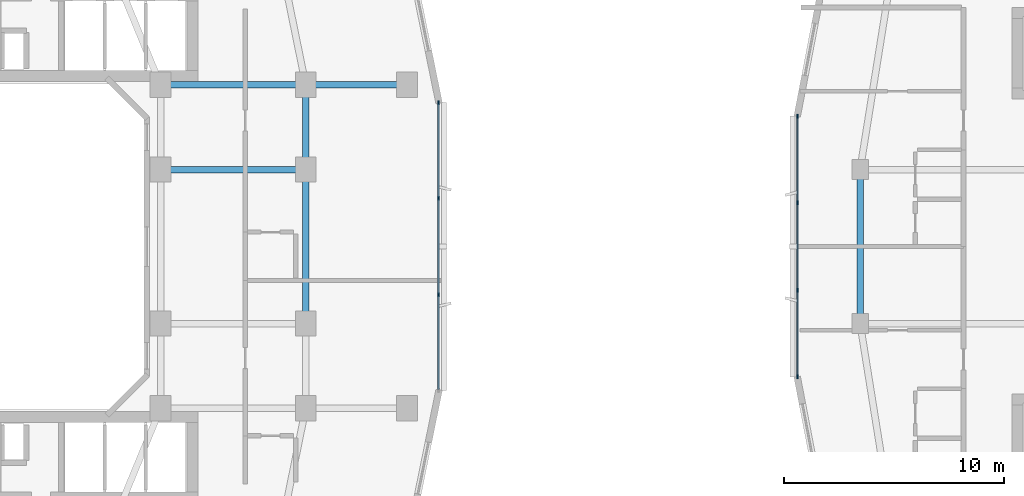
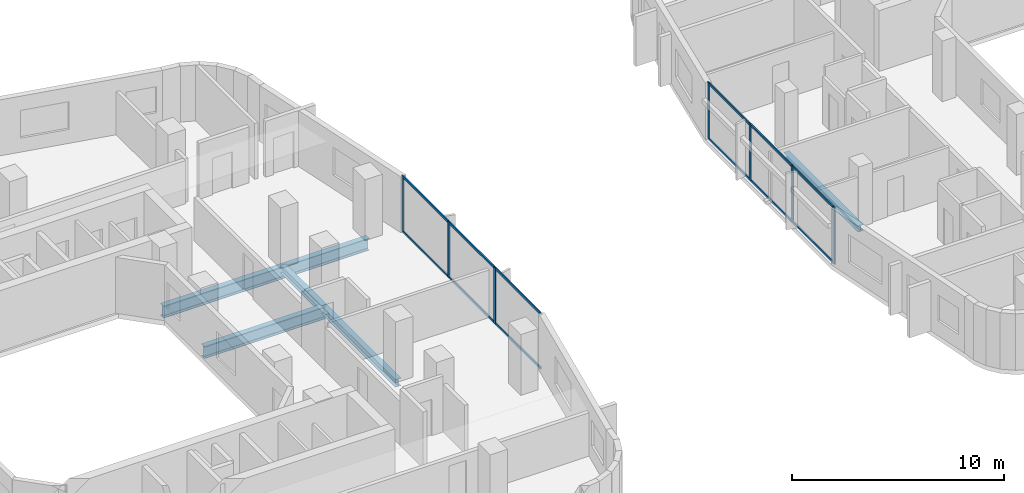
# One storey, part 5 of 26: 19 members, 6 beams, 2 elements without a shape of their own.
"""IFC4 building model written with IfcOpenShell, lengths in metres."""

from ifc_helpers import new_model, si_unit, derived_unit, direction, frame, origin, origin_2d, place, context, subcontext, project, spatial, rectangle, i_section, extrude, material, layer, layer_set, material_profile, profile_set, type_object, element, aggregate, save


model = new_model("IFC4")

# Units and contexts
model_context = context("Model", 3, precision=1e-05, world=origin(), true_north=direction((0.0, 1.0)))
body_context = subcontext(model_context, "Body", "Model", "MODEL_VIEW")
ifc_project = project(units=[si_unit("LENGTHUNIT", "METRE"), si_unit("AREAUNIT", "SQUARE_METRE"), si_unit("VOLUMEUNIT", "CUBIC_METRE"), si_unit("PLANEANGLEUNIT", "RADIAN"), si_unit("MASSUNIT", "GRAM", prefix="KILO"), derived_unit("THERMALTRANSMITTANCEUNIT", [(si_unit("POWERUNIT", "WATT"), 1), (si_unit("LENGTHUNIT", "METRE"), -2), (si_unit("THERMODYNAMICTEMPERATUREUNIT", "KELVIN"), -1)])], contexts=[model_context])

# Site, building, storey
site_placement = place(None, origin())
site = spatial("IfcSite", under=ifc_project, at=site_placement, CompositionType="ELEMENT")
building_placement = place(site_placement, origin())
building = spatial("IfcBuilding", under=site, at=building_placement, Name="Kivonza Crest Hotel", CompositionType="ELEMENT")
storey_placement = place(building_placement, frame((0.0, 0.0, 66.0)))
storey = spatial("IfcBuildingStorey", under=building, at=storey_placement, Name="L17", CompositionType="ELEMENT", Elevation=66.0)

# Beams
ifc_material_1 = material(Name="Steel S355", Category="steel")
ifc_material_profile_1 = material_profile(ifc_material_1, i_section(OverallWidth=0.300048828125, OverallDepth=0.360107421875, WebThickness=0.012451171875, FlangeThickness=0.0224609375, FilletRadius=0.027099609375, at=origin_2d()), Name="HEB 360")
ifc_profile_set_1 = profile_set([ifc_material_profile_1], Name="Steel S355")
beam_type_1 = type_object("IfcBeamType", Name="BM-HEB360", PredefinedType="SPANDREL", material=ifc_profile_set_1)
beam_1_placement = place(storey_placement, frame((61.0, 28.5, -0.429931640625), z_axis=(0.0, -1.0, 0.0), x_axis=(1.0, 0.0, 0.0)))
element("IfcBeam", 1, at=beam_1_placement, inside=storey, type_object=beam_type_1, Name="Companion Tower T2 L17 perimeter spandrel W2-W1", PredefinedType="SPANDREL", context=body_context, shape_type="SweptSolid", body=[
    extrude(i_section(OverallWidth=0.300048828125, OverallDepth=0.360107421875, WebThickness=0.012451171875, FlangeThickness=0.0224609375, FilletRadius=0.027099609375, at=origin_2d()), origin(), (0.0, 0.0, 1.0), 7.0),
])
ifc_material_profile_2 = material_profile(ifc_material_1, i_section(OverallWidth=0.300048828125, OverallDepth=0.449951171875, WebThickness=0.013916015625, FlangeThickness=0.02587890625, FilletRadius=0.027099609375, at=origin_2d()), Name="HEB 450")
ifc_profile_set_2 = profile_set([ifc_material_profile_2], Name="Steel S355")
beam_type_2 = type_object("IfcBeamType", Name="BM-HEB450", PredefinedType="SPANDREL", material=ifc_profile_set_2)
beam_2_placement = place(storey_placement, frame((35.800048828125, 21.5, -0.5048828125), z_axis=(0.0, 1.0, 0.0), x_axis=(-1.0, 0.0, 0.0)))
element("IfcBeam", 2, at=beam_2_placement, inside=storey, type_object=beam_type_2, Name="Tower T1 L17 perimeter spandrel E1-E2", PredefinedType="SPANDREL", context=body_context, shape_type="SweptSolid", body=[
    extrude(i_section(OverallWidth=0.300048828125, OverallDepth=0.449951171875, WebThickness=0.013916015625, FlangeThickness=0.02587890625, FilletRadius=0.027099609375, at=origin_2d()), origin(), (0.0, 0.0, 1.0), 7.0),
])
beam_3_placement = place(storey_placement, frame((35.800048828125, 28.5, -0.5048828125), z_axis=(0.0, 1.0, 0.0), x_axis=(-1.0, 0.0, 0.0)))
element("IfcBeam", 3, at=beam_3_placement, inside=storey, type_object=beam_type_2, Name="Tower T1 L17 perimeter spandrel E2-PNE", PredefinedType="SPANDREL", context=body_context, shape_type="SweptSolid", body=[
    extrude(i_section(OverallWidth=0.300048828125, OverallDepth=0.449951171875, WebThickness=0.013916015625, FlangeThickness=0.02587890625, FilletRadius=0.027099609375, at=origin_2d()), origin(), (0.0, 0.0, 1.0), 3.85009765625),
])
ifc_material_profile_3 = material_profile(ifc_material_1, i_section(OverallWidth=0.300048828125, OverallDepth=0.699951171875, WebThickness=0.01708984375, FlangeThickness=0.031982421875, FilletRadius=0.027099609375, at=origin_2d()), Name="HEB 700")
ifc_profile_set_3 = profile_set([ifc_material_profile_3], Name="Steel S355")
beam_type_3 = type_object("IfcBeamType", Name="BM-HEB700", PredefinedType="BEAM", material=ifc_profile_set_3)
for number, where, z_axis, x_axis, name in (
    (4, (29.199951171875, 32.35009765625, -0.6298828125), (1.0, 0.0, 0.0), (0.0, 1.0, 0.0), "Tower T1 L17 primary girder TNE-PNE"),
    (5, (29.199951171875, 28.5, -0.6298828125), (1.0, 0.0, 0.0), (0.0, 1.0, 0.0), "Tower T1 L17 primary girder WR2-E2"),
):
    element("IfcBeam", number, at=place(storey_placement, frame(where, z_axis=z_axis, x_axis=x_axis)), inside=storey, type_object=beam_type_3, Name=name, PredefinedType="BEAM", context=body_context, shape_type="SweptSolid", body=[
        extrude(i_section(OverallWidth=0.300048828125, OverallDepth=0.699951171875, WebThickness=0.01708984375, FlangeThickness=0.031982421875, FilletRadius=0.027099609375, at=origin_2d()), origin(), (0.0, 0.0, 1.0), 6.60009765625),
    ])
beam_4_placement = place(storey_placement, frame((40.39990234375, 32.35009765625, -0.6298828125), z_axis=(-1.0, 0.0, 0.0), x_axis=(0.0, -1.0, 0.0)))
element("IfcBeam", 6, at=beam_4_placement, inside=storey, type_object=beam_type_3, Name="Tower T1 L17 outer bay girder ZE2", PredefinedType="BEAM", context=body_context, shape_type="SweptSolid", body=[
    extrude(i_section(OverallWidth=0.300048828125, OverallDepth=0.699951171875, WebThickness=0.01708984375, FlangeThickness=0.031982421875, FilletRadius=0.027099609375, at=origin_2d()), origin(), (0.0, 0.0, 1.0), 4.599853515625),
])

# Curtain wall, members
ifc_material_2 = material(Name="Anodised bronze aluminium and low-E double glazing", Category="aluminium")
ifc_layer_1 = layer(ifc_material_2, 0.179931640625)
ifc_layer_set_1 = layer_set([ifc_layer_1], Name="Anodised bronze aluminium and low-E double glazing")
curtain_wall_type_1 = type_object("IfcCurtainWallType", Name="CW-SYS-2", PredefinedType="NOTDEFINED", material=ifc_layer_set_1)
curtain_wall_1_placement = place(storey_placement, origin())
curtain_wall_1 = element("IfcCurtainWall", 7, at=curtain_wall_1_placement, inside=storey, type_object=curtain_wall_type_1, Name="L17 unitised curtain wall CW-T1-L17-17", PredefinedType="NOTDEFINED")
ifc_material_3 = material(Name="Anodised bronze aluminium", Category="aluminium")
ifc_material_profile_4 = material_profile(ifc_material_3, rectangle(XDim=0.06494140625, YDim=0.179931640625, at=origin_2d()), Name="CW-M 65x180")
ifc_profile_set_4 = profile_set([ifc_material_profile_4], Name="Anodised bronze aluminium")
member_type_1 = type_object("IfcMemberType", Name="CW-MUL-65x180", PredefinedType="MULLION", material=ifc_profile_set_4)
member_1_placement = place(storey_placement, frame((41.840087890625, 22.813232421875, 0.0), z_axis=(0.0, 0.0, 1.0), x_axis=(-1.0, 0.0, 0.0)))
member_1 = element("IfcMember", 8, at=member_1_placement, type_object=member_type_1, Name="CW-2 mullion 2", PredefinedType="MULLION", context=body_context, shape_type="SweptSolid", body=[
    extrude(rectangle(XDim=0.06494140625, YDim=0.179931640625, at=origin_2d()), origin(), (0.0, 0.0, 1.0), 3.219970703125),
])
member_2_placement = place(storey_placement, frame((41.840087890625, 27.186767578125, 0.0), z_axis=(0.0, 0.0, 1.0), x_axis=(-1.0, 0.0, 0.0)))
member_2 = element("IfcMember", 9, at=member_2_placement, type_object=member_type_1, Name="CW-2 mullion 3", PredefinedType="MULLION", context=body_context, shape_type="SweptSolid", body=[
    extrude(rectangle(XDim=0.06494140625, YDim=0.179931640625, at=origin_2d()), origin(), (0.0, 0.0, 1.0), 3.219970703125),
])
member_3_placement = place(storey_placement, frame((41.840087890625, 31.527587890625, 0.0), z_axis=(0.0, 0.0, 1.0), x_axis=(-1.0, 0.0, 0.0)))
member_3 = element("IfcMember", 10, at=member_3_placement, type_object=member_type_1, Name="CW-2 mullion 4", PredefinedType="MULLION", context=body_context, shape_type="SweptSolid", body=[
    extrude(rectangle(XDim=0.06494140625, YDim=0.179931640625, at=origin_2d()), origin(), (0.0, 0.0, 1.0), 3.219970703125),
])

ifc_layer_2 = layer(ifc_material_2, 0.179931640625)
ifc_layer_set_2 = layer_set([ifc_layer_2], Name="Anodised bronze aluminium and low-E double glazing")
curtain_wall_type_2 = type_object("IfcCurtainWallType", Name="CW-SYS-4", PredefinedType="NOTDEFINED", material=ifc_layer_set_2)
curtain_wall_2_placement = place(storey_placement, origin())
curtain_wall_2 = element("IfcCurtainWall", 11, at=curtain_wall_2_placement, inside=storey, type_object=curtain_wall_type_2, Name="L17 unitised curtain wall CW-T2-L17-35", PredefinedType="NOTDEFINED")
member_4_placement = place(storey_placement, frame((58.159912109375, 30.927490234375, 0.0), z_axis=(0.0, 0.0, 1.0), x_axis=(1.0, 0.0, 0.0)))
member_4 = element("IfcMember", 12, at=member_4_placement, type_object=member_type_1, Name="CW-4 mullion 1", PredefinedType="MULLION", context=body_context, shape_type="SweptSolid", body=[
    extrude(rectangle(XDim=0.06494140625, YDim=0.179931640625, at=origin_2d()), origin(), (0.0, 0.0, 1.0), 3.25),
])
member_5_placement = place(storey_placement, frame((58.159912109375, 26.986572265625, 0.0), z_axis=(0.0, 0.0, 1.0), x_axis=(1.0, 0.0, 0.0)))
member_5 = element("IfcMember", 13, at=member_5_placement, type_object=member_type_1, Name="CW-4 mullion 2", PredefinedType="MULLION", context=body_context, shape_type="SweptSolid", body=[
    extrude(rectangle(XDim=0.06494140625, YDim=0.179931640625, at=origin_2d()), origin(), (0.0, 0.0, 1.0), 3.25),
])
member_6_placement = place(storey_placement, frame((58.159912109375, 23.013427734375, 0.0), z_axis=(0.0, 0.0, 1.0), x_axis=(1.0, 0.0, 0.0)))
member_6 = element("IfcMember", 14, at=member_6_placement, type_object=member_type_1, Name="CW-4 mullion 3", PredefinedType="MULLION", context=body_context, shape_type="SweptSolid", body=[
    extrude(rectangle(XDim=0.06494140625, YDim=0.179931640625, at=origin_2d()), origin(), (0.0, 0.0, 1.0), 3.25),
])
member_7_placement = place(storey_placement, frame((58.159912109375, 19.072509765625, 0.0), z_axis=(0.0, 0.0, 1.0), x_axis=(1.0, 0.0, 0.0)))
member_7 = element("IfcMember", 15, at=member_7_placement, type_object=member_type_1, Name="CW-4 mullion 4", PredefinedType="MULLION", context=body_context, shape_type="SweptSolid", body=[
    extrude(rectangle(XDim=0.06494140625, YDim=0.179931640625, at=origin_2d()), origin(), (0.0, 0.0, 1.0), 3.25),
])

# Member
ifc_material_profile_5 = material_profile(ifc_material_3, rectangle(XDim=0.06494140625, YDim=0.139892578125, at=origin_2d()), Name="CW-T 65x140")
ifc_profile_set_5 = profile_set([ifc_material_profile_5], Name="Anodised bronze aluminium")
member_type_2 = type_object("IfcMemberType", Name="CW-TRN-65x140", PredefinedType="USERDEFINED", material=ifc_profile_set_5)
member_8_placement = place(storey_placement, frame((41.840087890625, 18.5048828125, 0.032470703125), z_axis=(0.0, 1.0, 0.0), x_axis=(-1.0, 0.0, 0.0)))
member_8 = element("IfcMember", 16, at=member_8_placement, type_object=member_type_2, Name="CW-2 transom 1.1", ObjectType="TRANSOM", PredefinedType="USERDEFINED", context=body_context, shape_type="SweptSolid", body=[
    extrude(rectangle(XDim=0.06494140625, YDim=0.139892578125, at=origin_2d()), origin(), (0.0, 0.0, 1.0), 4.27587890625),
])

member_9_placement = place(storey_placement, frame((41.840087890625, 18.5048828125, 3.1875), z_axis=(0.0, 1.0, 0.0), x_axis=(-1.0, 0.0, 0.0)))
member_9 = element("IfcMember", 17, at=member_9_placement, type_object=member_type_2, Name="CW-2 transom 1.2", ObjectType="TRANSOM", PredefinedType="USERDEFINED", context=body_context, shape_type="SweptSolid", body=[
    extrude(rectangle(XDim=0.06494140625, YDim=0.139892578125, at=origin_2d()), origin(), (0.0, 0.0, 1.0), 4.27587890625),
])

member_10_placement = place(storey_placement, frame((41.840087890625, 22.845947265625, 0.032470703125), z_axis=(0.0, 1.0, 0.0), x_axis=(-1.0, 0.0, 0.0)))
member_10 = element("IfcMember", 18, at=member_10_placement, type_object=member_type_2, Name="CW-2 transom 2.1", ObjectType="TRANSOM", PredefinedType="USERDEFINED", context=body_context, shape_type="SweptSolid", body=[
    extrude(rectangle(XDim=0.06494140625, YDim=0.139892578125, at=origin_2d()), origin(), (0.0, 0.0, 1.0), 4.30810546875),
])

member_11_placement = place(storey_placement, frame((41.840087890625, 22.845947265625, 3.1875), z_axis=(0.0, 1.0, 0.0), x_axis=(-1.0, 0.0, 0.0)))
member_11 = element("IfcMember", 19, at=member_11_placement, type_object=member_type_2, Name="CW-2 transom 2.2", ObjectType="TRANSOM", PredefinedType="USERDEFINED", context=body_context, shape_type="SweptSolid", body=[
    extrude(rectangle(XDim=0.06494140625, YDim=0.139892578125, at=origin_2d()), origin(), (0.0, 0.0, 1.0), 4.30810546875),
])

member_12_placement = place(storey_placement, frame((41.840087890625, 27.21923828125, 0.032470703125), z_axis=(0.0, 1.0, 0.0), x_axis=(-1.0, 0.0, 0.0)))
member_12 = element("IfcMember", 20, at=member_12_placement, type_object=member_type_2, Name="CW-2 transom 3.1", ObjectType="TRANSOM", PredefinedType="USERDEFINED", context=body_context, shape_type="SweptSolid", body=[
    extrude(rectangle(XDim=0.06494140625, YDim=0.139892578125, at=origin_2d()), origin(), (0.0, 0.0, 1.0), 4.27587890625),
])

member_13_placement = place(storey_placement, frame((41.840087890625, 27.21923828125, 3.1875), z_axis=(0.0, 1.0, 0.0), x_axis=(-1.0, 0.0, 0.0)))
member_13 = element("IfcMember", 21, at=member_13_placement, type_object=member_type_2, Name="CW-2 transom 3.2", ObjectType="TRANSOM", PredefinedType="USERDEFINED", context=body_context, shape_type="SweptSolid", body=[
    extrude(rectangle(XDim=0.06494140625, YDim=0.139892578125, at=origin_2d()), origin(), (0.0, 0.0, 1.0), 4.27587890625),
])

aggregate(curtain_wall_1, [member_1, member_2, member_3, member_8, member_9, member_10, member_11, member_12, member_13])

member_14_placement = place(storey_placement, frame((58.159912109375, 30.89501953125, 0.032470703125), z_axis=(0.0, -1.0, 0.0), x_axis=(1.0, 0.0, 0.0)))
member_14 = element("IfcMember", 22, at=member_14_placement, type_object=member_type_2, Name="CW-4 transom 1.1", ObjectType="TRANSOM", PredefinedType="USERDEFINED", context=body_context, shape_type="SweptSolid", body=[
    extrude(rectangle(XDim=0.06494140625, YDim=0.139892578125, at=origin_2d()), origin(), (0.0, 0.0, 1.0), 3.875732421875),
])

member_15_placement = place(storey_placement, frame((58.159912109375, 30.89501953125, 3.217529296875), z_axis=(0.0, -1.0, 0.0), x_axis=(1.0, 0.0, 0.0)))
member_15 = element("IfcMember", 23, at=member_15_placement, type_object=member_type_2, Name="CW-4 transom 1.2", ObjectType="TRANSOM", PredefinedType="USERDEFINED", context=body_context, shape_type="SweptSolid", body=[
    extrude(rectangle(XDim=0.06494140625, YDim=0.139892578125, at=origin_2d()), origin(), (0.0, 0.0, 1.0), 3.875732421875),
])

member_16_placement = place(storey_placement, frame((58.159912109375, 26.9541015625, 0.032470703125), z_axis=(0.0, -1.0, 0.0), x_axis=(1.0, 0.0, 0.0)))
member_16 = element("IfcMember", 24, at=member_16_placement, type_object=member_type_2, Name="CW-4 transom 2.1", ObjectType="TRANSOM", PredefinedType="USERDEFINED", context=body_context, shape_type="SweptSolid", body=[
    extrude(rectangle(XDim=0.06494140625, YDim=0.139892578125, at=origin_2d()), origin(), (0.0, 0.0, 1.0), 3.908203125),
])

member_17_placement = place(storey_placement, frame((58.159912109375, 26.9541015625, 3.217529296875), z_axis=(0.0, -1.0, 0.0), x_axis=(1.0, 0.0, 0.0)))
member_17 = element("IfcMember", 25, at=member_17_placement, type_object=member_type_2, Name="CW-4 transom 2.2", ObjectType="TRANSOM", PredefinedType="USERDEFINED", context=body_context, shape_type="SweptSolid", body=[
    extrude(rectangle(XDim=0.06494140625, YDim=0.139892578125, at=origin_2d()), origin(), (0.0, 0.0, 1.0), 3.908203125),
])

member_18_placement = place(storey_placement, frame((58.159912109375, 22.980712890625, 0.032470703125), z_axis=(0.0, -1.0, 0.0), x_axis=(1.0, 0.0, 0.0)))
member_18 = element("IfcMember", 26, at=member_18_placement, type_object=member_type_2, Name="CW-4 transom 3.1", ObjectType="TRANSOM", PredefinedType="USERDEFINED", context=body_context, shape_type="SweptSolid", body=[
    extrude(rectangle(XDim=0.06494140625, YDim=0.139892578125, at=origin_2d()), origin(), (0.0, 0.0, 1.0), 3.875732421875),
])

member_19_placement = place(storey_placement, frame((58.159912109375, 22.980712890625, 3.217529296875), z_axis=(0.0, -1.0, 0.0), x_axis=(1.0, 0.0, 0.0)))
member_19 = element("IfcMember", 27, at=member_19_placement, type_object=member_type_2, Name="CW-4 transom 3.2", ObjectType="TRANSOM", PredefinedType="USERDEFINED", context=body_context, shape_type="SweptSolid", body=[
    extrude(rectangle(XDim=0.06494140625, YDim=0.139892578125, at=origin_2d()), origin(), (0.0, 0.0, 1.0), 3.875732421875),
])

aggregate(curtain_wall_2, [member_4, member_5, member_6, member_7, member_14, member_15, member_16, member_17, member_18, member_19])

save(model, "model.ifc")
